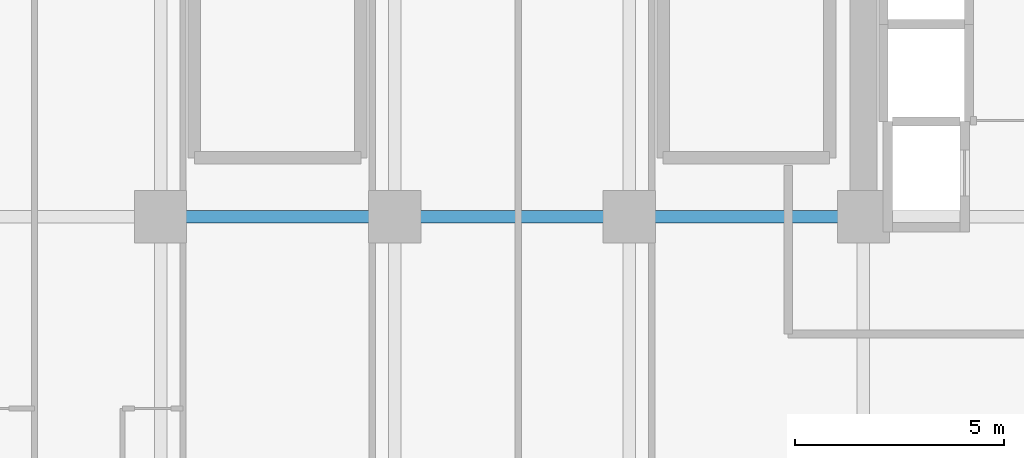
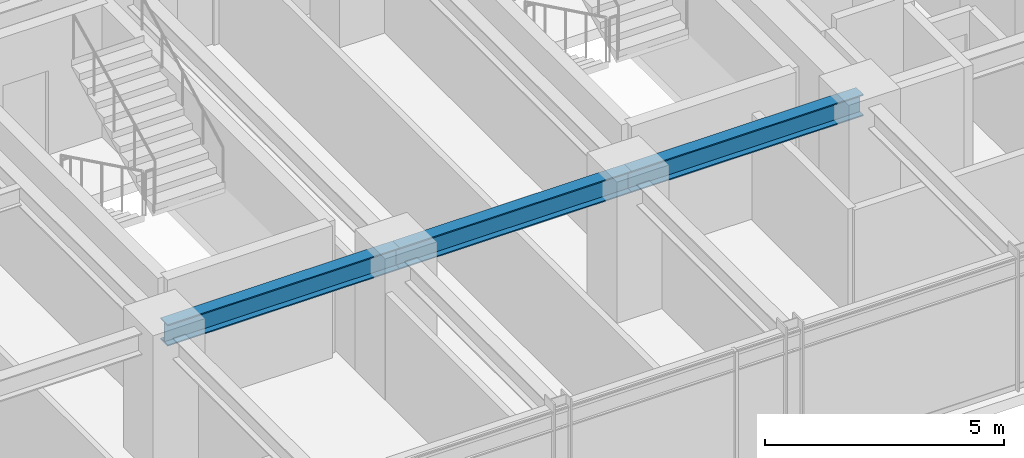
# One storey, part 6 of 32: 3 beams.
"""IFC4 building model written with IfcOpenShell, lengths in metres."""

from ifc_helpers import new_model, si_unit, direction, frame, origin, origin_2d, place, context, subcontext, project, spatial, i_section, extrude, source, transform, mapped, material, material_profile, profile_set, type_object, element, save


model = new_model("IFC4")

# Units and contexts
model_context = context("Model", 3, precision=1e-05, world=origin(), true_north=direction((0.0, 1.0)))
body_context = subcontext(model_context, "Body", "Model", "MODEL_VIEW")
ifc_project = project(units=[si_unit("LENGTHUNIT", "METRE"), si_unit("AREAUNIT", "SQUARE_METRE"), si_unit("VOLUMEUNIT", "CUBIC_METRE"), si_unit("PLANEANGLEUNIT", "RADIAN"), si_unit("MASSUNIT", "GRAM", prefix="KILO")], contexts=[model_context])

# Site, building, storey
site_placement = place(None, origin())
site = spatial("IfcSite", under=ifc_project, at=site_placement, CompositionType="ELEMENT")
building_placement = place(site_placement, origin())
building = spatial("IfcBuilding", under=site, at=building_placement, Name="Nahalor Promenade Grand Hotel", CompositionType="ELEMENT")
storey_placement = place(building_placement, frame((0.0, 0.0, 102.89990234375)))
storey = spatial("IfcBuildingStorey", under=building, at=storey_placement, Name="L25", CompositionType="ELEMENT", Elevation=102.89990234375)

# Beams
ifc_material = material(Name="Steel S355JR", Category="steel")
ifc_material_profile = material_profile(ifc_material, i_section(OverallWidth=0.3, OverallDepth=0.55, WebThickness=0.015, FlangeThickness=0.029, at=origin_2d()), Name="HEB 550")
ifc_profile_set = profile_set([ifc_material_profile], Name="Steel S355JR")
beam_type = type_object("IfcBeamType", Name="Beam-Girder-HEB550", PredefinedType="BEAM", material=ifc_profile_set)
shared_shape_1 = source(origin(), body_context, "Body", "SweptSolid", [
    extrude(i_section(OverallWidth=0.3, OverallDepth=0.55, WebThickness=0.015, FlangeThickness=0.029, at=origin_2d()), origin(), (0.0, 0.0, 1.0), 5.599853515625),
])
for number, where, z_axis, x_axis, name in (
    (1, (-8.39990234375, -17.0, 3.10498046875), (1.0, 0.0, 0.0), (0.0, 1.0, 0.0), "BM-L25-GX-0-2"),
    (2, (2.800048828125, -17.0, 3.10498046875), (1.0, 0.0, 0.0), (0.0, 1.0, 0.0), "BM-L25-GX-0-4"),
):
    element("IfcBeam", number, at=place(storey_placement, frame(where, z_axis=z_axis, x_axis=x_axis)), inside=storey, type_object=beam_type, Name=name, PredefinedType="BEAM", context=body_context, shape_type="MappedRepresentation", body=[
        mapped(shared_shape_1, transform((0.0, 0.0, 0.0), scale=1.0)),
    ])
shared_shape_2 = source(origin(), body_context, "Body", "SweptSolid", [
    extrude(i_section(OverallWidth=0.3, OverallDepth=0.55, WebThickness=0.015, FlangeThickness=0.029, at=origin_2d()), origin(), (0.0, 0.0, 1.0), 5.60009765625),
])
beam_placement = place(storey_placement, frame((-2.800048828125, -17.0, 3.10498046875), z_axis=(1.0, 0.0, 0.0), x_axis=(0.0, 1.0, 0.0)))
element("IfcBeam", 3, at=beam_placement, inside=storey, type_object=beam_type, Name="BM-L25-GX-0-3", PredefinedType="BEAM", context=body_context, shape_type="MappedRepresentation", body=[
    mapped(shared_shape_2, transform((0.0, 0.0, 0.0), scale=1.0)),
])

save(model, "model.ifc")
